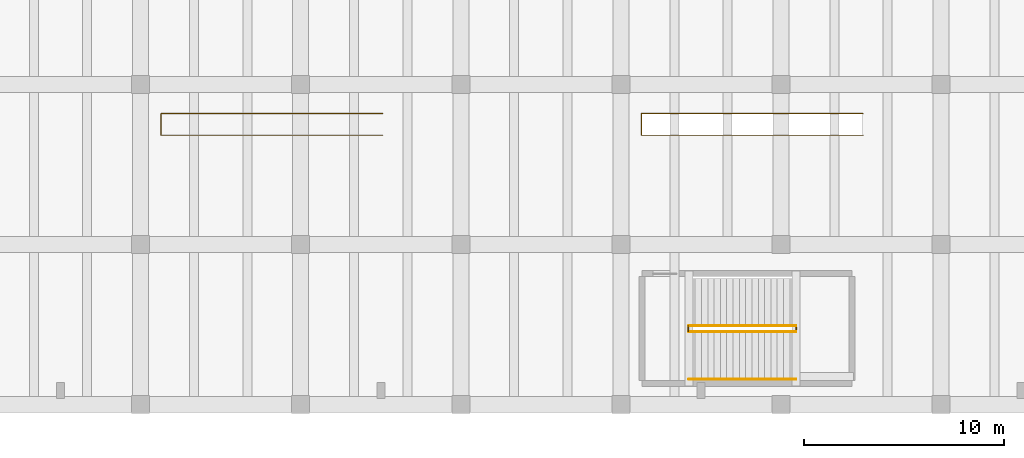
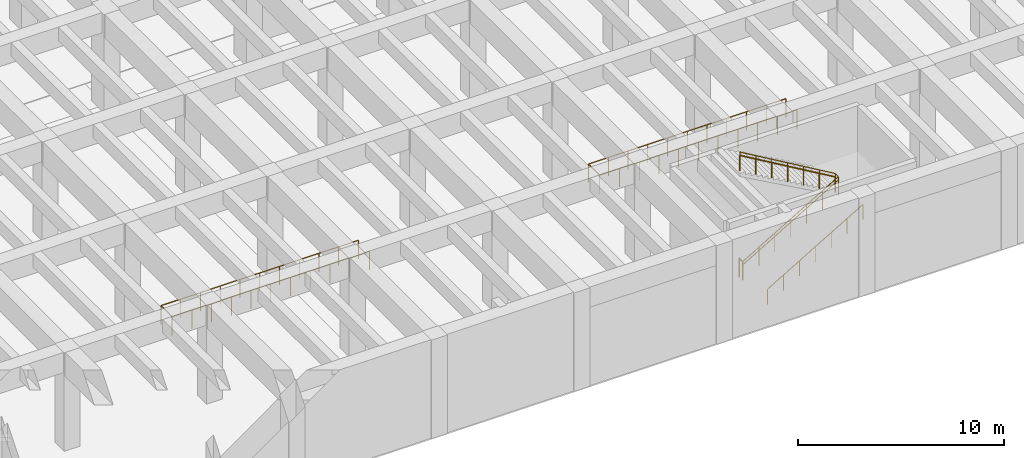
# One storey, part 18 of 24: 8 railings.
"""IFC4 building model written with IfcOpenShell, lengths in metres."""

import ifcopenshell
import ifcopenshell.guid

model = None  # the IFC model being written
_history = None  # IfcOwnerHistory: only IFC2X3 demands one
_inside = {}  # id of a spatial element -> (the spatial element, [elements in it])
_under = {}  # id of a project, library or spatial element -> (it, [spatial elements below it])
_declared = {}  # id of a project -> (the project, [libraries it declares])
_typed = {}  # id of a type object -> (the type object, [elements of that type])
_made_of = {}  # id of a material, layer set ... -> (it, [elements and type objects made of it])


def new_model(schema):
    """Start an empty IFC model of exactly this schema.

    Asked for "IFC4X3", IfcOpenShell would pick the latest addendum, in which some entities
    have other attributes; the version numbers below select the first issue.
    IFC2X3 requires an IfcOwnerHistory on every rooted entity: one is made here for all.
    """
    global model, _history
    if schema == "IFC4X3":
        model = ifcopenshell.file(schema_version=(4, 3, 0, 0))
    else:
        model = ifcopenshell.file(schema=schema)
    _inside.clear()
    _under.clear()
    _declared.clear()
    _typed.clear()
    _made_of.clear()
    _history = None
    if model.schema == "IFC2X3":
        org = make("IfcOrganization", Name="unknown")
        user = make(
            "IfcPersonAndOrganization",
            ThePerson=make("IfcPerson", FamilyName="unknown"),
            TheOrganization=org,
        )
        app = make(
            "IfcApplication",
            ApplicationDeveloper=org,
            Version="unknown",
            ApplicationFullName="unknown",
            ApplicationIdentifier="unknown",
        )
        _history = make(
            "IfcOwnerHistory",
            OwningUser=user,
            OwningApplication=app,
            ChangeAction="ADDED",
            CreationDate=0,
        )
    return model


def make(cls, **values):
    """One entity of the class cls with the attributes given. An attribute that is None is left unset."""
    return model.create_entity(
        cls, **{name: value for name, value in values.items() if value is not None}
    )


def rooted(cls, **values):
    """An entity with a GlobalId (a new one), such as an element, a storey or a relation."""
    return make(cls, GlobalId=ifcopenshell.guid.new(), OwnerHistory=_history, **values)


def si_unit(unit_type, name, prefix=None):
    """IfcSIUnit, for example si_unit("LENGTHUNIT", "METRE", prefix="MILLI")."""
    return make("IfcSIUnit", UnitType=unit_type, Prefix=prefix, Name=name)


def assignment(units):
    """IfcUnitAssignment: the units of a project."""
    return None if units is None else make("IfcUnitAssignment", Units=units)


def point(xyz):
    """IfcCartesianPoint."""
    return None if xyz is None else make("IfcCartesianPoint", Coordinates=xyz)


def direction(xyz):
    """IfcDirection."""
    return None if xyz is None else make("IfcDirection", DirectionRatios=xyz)


def frame(location, z_axis=None, x_axis=None):
    """IfcAxis2Placement3D, a coordinate frame: its origin and axes. An axis left out is left unset."""
    return make(
        "IfcAxis2Placement3D",
        Location=point(location),
        Axis=direction(z_axis),
        RefDirection=direction(x_axis),
    )


def frame_2d(location, x_axis=None):
    """IfcAxis2Placement2D, a coordinate frame in the plane: its origin and x axis."""
    return make(
        "IfcAxis2Placement2D", Location=point(location), RefDirection=direction(x_axis)
    )


def origin():
    """The frame at (0, 0, 0) with its axes left unset."""
    return frame((0.0, 0.0, 0.0))


def origin_2d():
    """The frame at (0, 0) in the plane with its x axis left unset."""
    return frame_2d((0.0, 0.0))


def place(relative_to, where):
    """IfcLocalPlacement: puts the frame where relative to a parent placement (None: the world)."""
    return make(
        "IfcLocalPlacement", PlacementRelTo=relative_to, RelativePlacement=where
    )


def context(
    kind, dimensions, precision=None, world=None, true_north=None, identifier=None
):
    """IfcGeometricRepresentationContext, for example the 3D "Model" context."""
    return make(
        "IfcGeometricRepresentationContext",
        ContextIdentifier=identifier,
        ContextType=kind,
        CoordinateSpaceDimension=dimensions,
        Precision=precision,
        WorldCoordinateSystem=world,
        TrueNorth=true_north,
    )


def subcontext(parent, identifier, kind, view, scale=None):
    """IfcGeometricRepresentationSubContext, for example "Body" below "Model"."""
    return make(
        "IfcGeometricRepresentationSubContext",
        ContextIdentifier=identifier,
        ContextType=kind,
        ParentContext=parent,
        TargetScale=scale,
        TargetView=view,
    )


def project(units=None, contexts=None):
    """IfcProject with its units and contexts."""
    return rooted(
        "IfcProject",
        Name="project",
        RepresentationContexts=contexts,
        UnitsInContext=assignment(units),
    )


def spatial(cls, under=None, at=None, **own):
    """A site, building, storey or space (cls), placed at a placement, below another one or the project."""
    s = rooted(cls, ObjectPlacement=at, **own)
    if under is not None:
        _under.setdefault(under.id(), (under, []))[1].append(s)
    return s


def profile(cls, at=None, kind="AREA", **sizes):
    """A parametric profile (cls). Its sizes go by their IFC names, for example OverallWidth=200.0."""
    return make(cls, ProfileType=kind, Position=at, **sizes)


def circle(**sizes):
    """IfcCircleProfileDef."""
    return profile("IfcCircleProfileDef", **sizes)


def extrude(swept, where, along, depth):
    """IfcExtrudedAreaSolid: the profile swept, set in the frame where, extruded along a direction by depth."""
    return make(
        "IfcExtrudedAreaSolid",
        SweptArea=swept,
        Position=where,
        ExtrudedDirection=direction(along),
        Depth=depth,
    )


def shape(context_of_items, identifier, shape_type, items):
    """IfcShapeRepresentation: the items that make up one representation, for example the "Body"."""
    return make(
        "IfcShapeRepresentation",
        ContextOfItems=context_of_items,
        RepresentationIdentifier=identifier,
        RepresentationType=shape_type,
        Items=items,
    )


def material(Name=None, Category=None):
    """IfcMaterial."""
    return make("IfcMaterial", Name=Name, Category=Category)


def made_of(thing, what):
    """Note that an element or type object is made of a material, layer set ...; save() writes the relation."""
    if what is not None:
        _made_of.setdefault(what.id(), (what, []))[1].append(thing)
    return thing


def type_object(cls, material=None, **own):
    """A type object (cls), such as IfcWallType, which elements share."""
    return made_of(rooted(cls, **own), material)


def element(
    cls,
    number,
    at=None,
    inside=None,
    cuts=None,
    type_object=None,
    material=None,
    context=None,
    identifier="Body",
    shape_type=None,
    held_by="IfcProductDefinitionShape",
    body=None,
    shapes=None,
    **own,
):
    """One element of the class cls, such as IfcWall. Its Tag is "e" and its number.

    at: its placement. inside: the storey or other place that contains it. cuts: it is an
    opening in that element (IfcRelVoidsElement). A single representation is given by context,
    identifier, shape_type and body (its items); several are given by shapes. held_by: the class
    of the entity that holds the representations. save() writes the other relations.
    """
    e = rooted(cls, Tag="e%d" % number, ObjectPlacement=at, **own)
    if body is not None:
        shapes = [shape(context, identifier, shape_type, body)]
    if shapes is not None:
        e.Representation = make(held_by, Representations=shapes)
    if inside is not None:
        _inside.setdefault(inside.id(), (inside, []))[1].append(e)
    if cuts is not None:
        rooted(
            "IfcRelVoidsElement", RelatingBuildingElement=cuts, RelatedOpeningElement=e
        )
    if type_object is not None:
        _typed.setdefault(type_object.id(), (type_object, []))[1].append(e)
    return made_of(e, material)


def aggregate(whole, parts):
    """IfcRelAggregates: a whole, such as a stair, and the parts it consists of."""
    return rooted("IfcRelAggregates", RelatingObject=whole, RelatedObjects=parts)


def save(model, path):
    """Write the relations noted so far, then the file.

    IfcRelAggregates (storeys below a building ...), IfcRelContainedInSpatialStructure (elements
    in a storey), IfcRelDefinesByType, IfcRelAssociatesMaterial and IfcRelDeclares: one each for
    every whole, place, type object, material and project.
    """
    for whole, parts in _under.values():
        aggregate(whole, parts)
    for where, things in _inside.values():
        rooted(
            "IfcRelContainedInSpatialStructure",
            RelatedElements=things,
            RelatingStructure=where,
        )
    for kind, things in _typed.values():
        rooted("IfcRelDefinesByType", RelatedObjects=things, RelatingType=kind)
    for what, things in _made_of.values():
        rooted("IfcRelAssociatesMaterial", RelatedObjects=things, RelatingMaterial=what)
    for by, libraries in _declared.values():
        rooted("IfcRelDeclares", RelatingContext=by, RelatedDefinitions=libraries)
    model.write(path)


model = new_model("IFC4")

# Units and contexts
model_context = context("Model", 3, precision=1e-05, world=origin(), true_north=direction((0.0, 1.0)))
body_context = subcontext(model_context, "Body", "Model", "MODEL_VIEW")
ifc_project = project(units=[si_unit("LENGTHUNIT", "METRE"), si_unit("AREAUNIT", "SQUARE_METRE"), si_unit("VOLUMEUNIT", "CUBIC_METRE"), si_unit("PLANEANGLEUNIT", "RADIAN"), si_unit("MASSUNIT", "GRAM", prefix="KILO")], contexts=[model_context])

# Site, building, storey
site_placement = place(None, origin())
site = spatial("IfcSite", under=ifc_project, at=site_placement, CompositionType="ELEMENT")
building_placement = place(site_placement, origin())
building = spatial("IfcBuilding", under=site, at=building_placement, Name="Varnela Railside Interchange", CompositionType="ELEMENT")
storey_placement = place(building_placement, frame((0.0, 0.0, -6.300048828125)))
storey = spatial("IfcBuildingStorey", under=building, at=storey_placement, Name="B1", CompositionType="ELEMENT", Elevation=-6.300048828125)

# Railings
ifc_material_1 = material(Name="Glass laminated double", Category="glass")
railing_type_1 = type_object("IfcRailingType", Name="Concourse Atrium Balustrade BL-01", PredefinedType="BALUSTRADE", material=ifc_material_1)
railing_1_placement = place(storey_placement, frame((88.10009765625, 19.4599609375, 0.0)))
element("IfcRailing", 1, at=railing_1_placement, inside=storey, type_object=railing_type_1, Name="Escalator Well Balustrade ES2 (RL-0123)", PredefinedType="BALUSTRADE", context=body_context, shape_type="SweptSolid", body=[
    extrude(circle(Radius=0.02392578125, at=origin_2d()), frame((0.0, 0.0, 1.09619140625), z_axis=(-1.0, 0.0, 0.0), x_axis=(0.0, -1.0, 0.0)), (0.0, 0.0, 1.0), 11.080078125),
    extrude(circle(Radius=0.02392578125, at=origin_2d()), frame((-11.080078125, 0.0, 1.09619140625), z_axis=(0.0, 1.0, 0.0), x_axis=(-1.0, 0.0, 0.0)), (0.0, 0.0, 1.0), 1.080078125),
    extrude(circle(Radius=0.02392578125, at=origin_2d()), frame((-11.080078125, 1.080078125, 1.09619140625), z_axis=(1.0, 0.0, 0.0), x_axis=(0.0, 1.0, 0.0)), (0.0, 0.0, 1.0), 11.080078125),
    extrude(circle(Radius=0.02099609375, at=origin_2d()), origin(), (0.0, 0.0, 1.0), 1.072021484375),
    extrude(circle(Radius=0.02099609375, at=origin_2d()), frame((-1.10791015625, 0.0, 0.0)), (0.0, 0.0, 1.0), 1.072021484375),
    extrude(circle(Radius=0.02099609375, at=origin_2d()), frame((-2.216064453125, 0.0, 0.0)), (0.0, 0.0, 1.0), 1.072021484375),
    extrude(circle(Radius=0.02099609375, at=origin_2d()), frame((-3.323974609375, 0.0, 0.0)), (0.0, 0.0, 1.0), 1.072021484375),
    extrude(circle(Radius=0.02099609375, at=origin_2d()), frame((-4.43212890625, 0.0, 0.0)), (0.0, 0.0, 1.0), 1.072021484375),
    extrude(circle(Radius=0.02099609375, at=origin_2d()), frame((-5.5400390625, 0.0, 0.0)), (0.0, 0.0, 1.0), 1.072021484375),
    extrude(circle(Radius=0.02099609375, at=origin_2d()), frame((-6.64794921875, 0.0, 0.0)), (0.0, 0.0, 1.0), 1.072021484375),
    extrude(circle(Radius=0.02099609375, at=origin_2d()), frame((-7.756103515625, 0.0, 0.0)), (0.0, 0.0, 1.0), 1.072021484375),
    extrude(circle(Radius=0.02099609375, at=origin_2d()), frame((-8.864013671875, 0.0, 0.0)), (0.0, 0.0, 1.0), 1.072021484375),
    extrude(circle(Radius=0.02099609375, at=origin_2d()), frame((-9.97216796875, 0.0, 0.0)), (0.0, 0.0, 1.0), 1.072021484375),
    extrude(circle(Radius=0.02099609375, at=origin_2d()), frame((-11.080078125, 0.0, 0.0)), (0.0, 0.0, 1.0), 1.072021484375),
    extrude(circle(Radius=0.02099609375, at=origin_2d()), frame((-11.080078125, 1.080078125, 0.0)), (0.0, 0.0, 1.0), 1.072021484375),
    extrude(circle(Radius=0.02099609375, at=origin_2d()), frame((-9.97216796875, 1.080078125, 0.0)), (0.0, 0.0, 1.0), 1.072021484375),
    extrude(circle(Radius=0.02099609375, at=origin_2d()), frame((-8.864013671875, 1.080078125, 0.0)), (0.0, 0.0, 1.0), 1.072021484375),
    extrude(circle(Radius=0.02099609375, at=origin_2d()), frame((-7.756103515625, 1.080078125, 0.0)), (0.0, 0.0, 1.0), 1.072021484375),
    extrude(circle(Radius=0.02099609375, at=origin_2d()), frame((-6.64794921875, 1.080078125, 0.0)), (0.0, 0.0, 1.0), 1.072021484375),
    extrude(circle(Radius=0.02099609375, at=origin_2d()), frame((-5.5400390625, 1.080078125, 0.0)), (0.0, 0.0, 1.0), 1.072021484375),
    extrude(circle(Radius=0.02099609375, at=origin_2d()), frame((-4.43212890625, 1.080078125, 0.0)), (0.0, 0.0, 1.0), 1.072021484375),
    extrude(circle(Radius=0.02099609375, at=origin_2d()), frame((-3.323974609375, 1.080078125, 0.0)), (0.0, 0.0, 1.0), 1.072021484375),
    extrude(circle(Radius=0.02099609375, at=origin_2d()), frame((-2.216064453125, 1.080078125, 0.0)), (0.0, 0.0, 1.0), 1.072021484375),
    extrude(circle(Radius=0.02099609375, at=origin_2d()), frame((-1.10791015625, 1.080078125, 0.0)), (0.0, 0.0, 1.0), 1.072021484375),
    extrude(circle(Radius=0.02099609375, at=origin_2d()), frame((0.0, 1.080078125, 0.0)), (0.0, 0.0, 1.0), 1.072021484375),
])
railing_2_placement = place(storey_placement, frame((112.10009765625, 19.4599609375, 0.0)))
element("IfcRailing", 2, at=railing_2_placement, inside=storey, type_object=railing_type_1, Name="Escalator Well Balustrade ES3 (RL-0124)", PredefinedType="BALUSTRADE", context=body_context, shape_type="SweptSolid", body=[
    extrude(circle(Radius=0.02392578125, at=origin_2d()), frame((0.0, 0.0, 1.09619140625), z_axis=(-1.0, 0.0, 0.0), x_axis=(0.0, -1.0, 0.0)), (0.0, 0.0, 1.0), 11.080078125),
    extrude(circle(Radius=0.02392578125, at=origin_2d()), frame((-11.080078125, 0.0, 1.09619140625), z_axis=(0.0, 1.0, 0.0), x_axis=(-1.0, 0.0, 0.0)), (0.0, 0.0, 1.0), 1.080078125),
    extrude(circle(Radius=0.02392578125, at=origin_2d()), frame((-11.080078125, 1.080078125, 1.09619140625), z_axis=(1.0, 0.0, 0.0), x_axis=(0.0, 1.0, 0.0)), (0.0, 0.0, 1.0), 11.080078125),
    extrude(circle(Radius=0.02099609375, at=origin_2d()), origin(), (0.0, 0.0, 1.0), 1.072021484375),
    extrude(circle(Radius=0.02099609375, at=origin_2d()), frame((-1.10791015625, 0.0, 0.0)), (0.0, 0.0, 1.0), 1.072021484375),
    extrude(circle(Radius=0.02099609375, at=origin_2d()), frame((-2.216064453125, 0.0, 0.0)), (0.0, 0.0, 1.0), 1.072021484375),
    extrude(circle(Radius=0.02099609375, at=origin_2d()), frame((-3.323974609375, 0.0, 0.0)), (0.0, 0.0, 1.0), 1.072021484375),
    extrude(circle(Radius=0.02099609375, at=origin_2d()), frame((-4.43212890625, 0.0, 0.0)), (0.0, 0.0, 1.0), 1.072021484375),
    extrude(circle(Radius=0.02099609375, at=origin_2d()), frame((-5.5400390625, 0.0, 0.0)), (0.0, 0.0, 1.0), 1.072021484375),
    extrude(circle(Radius=0.02099609375, at=origin_2d()), frame((-6.64794921875, 0.0, 0.0)), (0.0, 0.0, 1.0), 1.072021484375),
    extrude(circle(Radius=0.02099609375, at=origin_2d()), frame((-7.756103515625, 0.0, 0.0)), (0.0, 0.0, 1.0), 1.072021484375),
    extrude(circle(Radius=0.02099609375, at=origin_2d()), frame((-8.864013671875, 0.0, 0.0)), (0.0, 0.0, 1.0), 1.072021484375),
    extrude(circle(Radius=0.02099609375, at=origin_2d()), frame((-9.97216796875, 0.0, 0.0)), (0.0, 0.0, 1.0), 1.072021484375),
    extrude(circle(Radius=0.02099609375, at=origin_2d()), frame((-11.080078125, 0.0, 0.0)), (0.0, 0.0, 1.0), 1.072021484375),
    extrude(circle(Radius=0.02099609375, at=origin_2d()), frame((-11.080078125, 1.080078125, 0.0)), (0.0, 0.0, 1.0), 1.072021484375),
    extrude(circle(Radius=0.02099609375, at=origin_2d()), frame((-9.97216796875, 1.080078125, 0.0)), (0.0, 0.0, 1.0), 1.072021484375),
    extrude(circle(Radius=0.02099609375, at=origin_2d()), frame((-8.864013671875, 1.080078125, 0.0)), (0.0, 0.0, 1.0), 1.072021484375),
    extrude(circle(Radius=0.02099609375, at=origin_2d()), frame((-7.756103515625, 1.080078125, 0.0)), (0.0, 0.0, 1.0), 1.072021484375),
    extrude(circle(Radius=0.02099609375, at=origin_2d()), frame((-6.64794921875, 1.080078125, 0.0)), (0.0, 0.0, 1.0), 1.072021484375),
    extrude(circle(Radius=0.02099609375, at=origin_2d()), frame((-5.5400390625, 1.080078125, 0.0)), (0.0, 0.0, 1.0), 1.072021484375),
    extrude(circle(Radius=0.02099609375, at=origin_2d()), frame((-4.43212890625, 1.080078125, 0.0)), (0.0, 0.0, 1.0), 1.072021484375),
    extrude(circle(Radius=0.02099609375, at=origin_2d()), frame((-3.323974609375, 1.080078125, 0.0)), (0.0, 0.0, 1.0), 1.072021484375),
    extrude(circle(Radius=0.02099609375, at=origin_2d()), frame((-2.216064453125, 1.080078125, 0.0)), (0.0, 0.0, 1.0), 1.072021484375),
    extrude(circle(Radius=0.02099609375, at=origin_2d()), frame((-1.10791015625, 1.080078125, 0.0)), (0.0, 0.0, 1.0), 1.072021484375),
    extrude(circle(Radius=0.02099609375, at=origin_2d()), frame((0.0, 1.080078125, 0.0)), (0.0, 0.0, 1.0), 1.072021484375),
])
ifc_material_2 = material(Name="Steel AR 350 (350 MPa)", Category="steel")
railing_type_2 = type_object("IfcRailingType", Name="Stair & Ramp Pitch Handrail HR-01", PredefinedType="HANDRAIL", material=ifc_material_2)
railing_3_placement = place(storey_placement, frame((103.39990234375, 9.64990234375, 0.0)))
element("IfcRailing", 3, at=railing_3_placement, inside=storey, type_object=railing_type_2, Name="Stair Handrail ST-M4 Flight 1 (RL-0151)", PredefinedType="HANDRAIL", context=body_context, shape_type="SweptSolid", body=[
    extrude(circle(Radius=0.02392578125, at=origin_2d()), frame((0.0, 0.0, 0.89599609375), z_axis=(0.861923102912, 0.0, 0.507039016908), x_axis=(0.0, 1.0, 0.0)), (0.0, 0.0, 1.0), 6.212890625),
    extrude(circle(Radius=0.02099609375, at=origin_2d()), origin(), (0.0, 0.0, 1.0), 0.871826171875),
    extrude(circle(Radius=0.02099609375, at=origin_2d()), frame((0.892578125, 0.0, 0.52490234375)), (0.0, 0.0, 1.0), 0.871826171875),
    extrude(circle(Radius=0.02099609375, at=origin_2d()), frame((1.784912109375, 0.0, 1.050048828125)), (0.0, 0.0, 1.0), 0.871826171875),
    extrude(circle(Radius=0.02099609375, at=origin_2d()), frame((2.677490234375, 0.0, 1.5751953125)), (0.0, 0.0, 1.0), 0.871826171875),
    extrude(circle(Radius=0.02099609375, at=origin_2d()), frame((3.570068359375, 0.0, 2.10009765625)), (0.0, 0.0, 1.0), 0.871826171875),
    extrude(circle(Radius=0.02099609375, at=origin_2d()), frame((4.46240234375, 0.0, 2.625)), (0.0, 0.0, 1.0), 0.871826171875),
    extrude(circle(Radius=0.02099609375, at=origin_2d()), frame((5.35498046875, 0.0, 3.150146484375)), (0.0, 0.0, 1.0), 0.871826171875),
])
railing_4_placement = place(storey_placement, frame((108.7548828125, 9.949951171875, 3.150146484375)))
element("IfcRailing", 4, at=railing_4_placement, inside=storey, type_object=railing_type_2, Name="Stair Handrail ST-M4 Flight 2 (RL-0152)", PredefinedType="HANDRAIL", context=body_context, shape_type="SweptSolid", body=[
    extrude(circle(Radius=0.02392578125, at=origin_2d()), frame((0.0, 0.0, 0.89599609375), z_axis=(-0.861940276329, 0.0, 0.507009822431), x_axis=(0.0, -1.0, 0.0)), (0.0, 0.0, 1.0), 6.212646484375),
    extrude(circle(Radius=0.02099609375, at=origin_2d()), origin(), (0.0, 0.0, 1.0), 0.871826171875),
    extrude(circle(Radius=0.02099609375, at=origin_2d()), frame((-0.892578125, 0.0, 0.52490234375)), (0.0, 0.0, 1.0), 0.871826171875),
    extrude(circle(Radius=0.02099609375, at=origin_2d()), frame((-1.784912109375, 0.0, 1.050048828125)), (0.0, 0.0, 1.0), 0.871826171875),
    extrude(circle(Radius=0.02099609375, at=origin_2d()), frame((-2.677490234375, 0.0, 1.574951171875)), (0.0, 0.0, 1.0), 0.871826171875),
    extrude(circle(Radius=0.02099609375, at=origin_2d()), frame((-3.570068359375, 0.0, 2.099853515625)), (0.0, 0.0, 1.0), 0.871826171875),
    extrude(circle(Radius=0.02099609375, at=origin_2d()), frame((-4.46240234375, 0.0, 2.625)), (0.0, 0.0, 1.0), 0.871826171875),
    extrude(circle(Radius=0.02099609375, at=origin_2d()), frame((-5.35498046875, 0.0, 3.14990234375)), (0.0, 0.0, 1.0), 0.871826171875),
])
railing_type_3 = type_object("IfcRailingType", Name="Stair Well & Landing Guard GR-02", PredefinedType="GUARDRAIL", material=ifc_material_2)
railing_5_placement = place(storey_placement, frame((103.3701171875, 9.64990234375, 0.0)))
element("IfcRailing", 5, at=railing_5_placement, inside=storey, type_object=railing_type_3, Name="Stair Well Slot Guard ST-M4 on B1 (RL-0112)", PredefinedType="GUARDRAIL", context=body_context, shape_type="SweptSolid", body=[
    extrude(circle(Radius=0.02392578125, at=origin_2d()), frame((0.0, 0.0, 1.09619140625), z_axis=(0.0, 1.0, 0.0), x_axis=(-1.0, 0.0, 0.0)), (0.0, 0.0, 1.0), 0.300048828125),
    extrude(circle(Radius=0.02099609375, at=origin_2d()), origin(), (0.0, 0.0, 1.0), 1.072021484375),
    extrude(circle(Radius=0.02099609375, at=origin_2d()), frame((0.0, 0.300048828125, 0.0)), (0.0, 0.0, 1.0), 1.072021484375),
])
railing_6_placement = place(storey_placement, frame((103.39990234375, 9.64990234375, 0.0)))
element("IfcRailing", 6, at=railing_6_placement, inside=storey, type_object=railing_type_3, Name="Stair Guard ST-M4 Half-Landing (RL-0110)", PredefinedType="GUARDRAIL", context=body_context, shape_type="SweptSolid", body=[
    extrude(circle(Radius=0.02392578125, at=origin_2d()), frame((0.0, 0.0, 1.09619140625), z_axis=(0.861923102912, 0.0, 0.507039016908), x_axis=(0.0, 1.0, 0.0)), (0.0, 0.0, 1.0), 6.212890625),
    extrude(circle(Radius=0.02392578125, at=origin_2d()), frame((5.35498046875, 0.0, 4.24609375), z_axis=(0.0, 1.0, 0.0), x_axis=(-1.0, 0.0, 0.0)), (0.0, 0.0, 1.0), 0.300048828125),
    extrude(circle(Radius=0.02099609375, at=origin_2d()), origin(), (0.0, 0.0, 1.0), 1.072021484375),
    extrude(circle(Radius=0.02099609375, at=origin_2d()), frame((0.892578125, 0.0, 0.52490234375)), (0.0, 0.0, 1.0), 1.072021484375),
    extrude(circle(Radius=0.02099609375, at=origin_2d()), frame((1.784912109375, 0.0, 1.050048828125)), (0.0, 0.0, 1.0), 1.072021484375),
    extrude(circle(Radius=0.02099609375, at=origin_2d()), frame((2.677490234375, 0.0, 1.5751953125)), (0.0, 0.0, 1.0), 1.072021484375),
    extrude(circle(Radius=0.02099609375, at=origin_2d()), frame((3.570068359375, 0.0, 2.10009765625)), (0.0, 0.0, 1.0), 1.072021484375),
    extrude(circle(Radius=0.02099609375, at=origin_2d()), frame((4.46240234375, 0.0, 2.625)), (0.0, 0.0, 1.0), 1.072021484375),
    extrude(circle(Radius=0.02099609375, at=origin_2d()), frame((5.35498046875, 0.0, 3.150146484375)), (0.0, 0.0, 1.0), 1.072021484375),
    extrude(circle(Radius=0.02099609375, at=origin_2d()), frame((5.35498046875, 0.300048828125, 3.150146484375)), (0.0, 0.0, 1.0), 1.072021484375),
])
railing_7_placement = place(storey_placement, frame((108.7548828125, 9.949951171875, 3.150146484375)))
element("IfcRailing", 7, at=railing_7_placement, inside=storey, type_object=railing_type_3, Name="Stair Guard ST-M4 Upper Flight (RL-0111)", PredefinedType="GUARDRAIL", context=body_context, shape_type="SweptSolid", body=[
    extrude(circle(Radius=0.02392578125, at=origin_2d()), frame((0.0, 0.0, 1.09619140625), z_axis=(-0.861940276329, 0.0, 0.507009822431), x_axis=(0.0, -1.0, 0.0)), (0.0, 0.0, 1.0), 6.212646484375),
    extrude(circle(Radius=0.02099609375, at=origin_2d()), origin(), (0.0, 0.0, 1.0), 1.072021484375),
    extrude(circle(Radius=0.02099609375, at=origin_2d()), frame((-0.892578125, 0.0, 0.52490234375)), (0.0, 0.0, 1.0), 1.072021484375),
    extrude(circle(Radius=0.02099609375, at=origin_2d()), frame((-1.784912109375, 0.0, 1.050048828125)), (0.0, 0.0, 1.0), 1.072021484375),
    extrude(circle(Radius=0.02099609375, at=origin_2d()), frame((-2.677490234375, 0.0, 1.574951171875)), (0.0, 0.0, 1.0), 1.072021484375),
    extrude(circle(Radius=0.02099609375, at=origin_2d()), frame((-3.570068359375, 0.0, 2.099853515625)), (0.0, 0.0, 1.0), 1.072021484375),
    extrude(circle(Radius=0.02099609375, at=origin_2d()), frame((-4.46240234375, 0.0, 2.625)), (0.0, 0.0, 1.0), 1.072021484375),
    extrude(circle(Radius=0.02099609375, at=origin_2d()), frame((-5.35498046875, 0.0, 3.14990234375)), (0.0, 0.0, 1.0), 1.072021484375),
])
railing_type_4 = type_object("IfcRailingType", Name="Wall-Mounted Stair Handrail HR-02", PredefinedType="HANDRAIL", material=ifc_material_2)
railing_8_placement = place(storey_placement, frame((103.39990234375, 7.260009765625, 0.0)))
element("IfcRailing", 8, at=railing_8_placement, inside=storey, type_object=railing_type_4, Name="Wall Handrail ST-M4 Flight 1 (RL-0169)", PredefinedType="HANDRAIL", context=body_context, shape_type="SweptSolid", body=[
    extrude(circle(Radius=0.02392578125, at=origin_2d()), frame((0.0, 0.0, 0.89599609375), z_axis=(0.861923102912, 0.0, 0.507039016908), x_axis=(0.0, 1.0, 0.0)), (0.0, 0.0, 1.0), 6.212890625),
    extrude(circle(Radius=0.02099609375, at=origin_2d()), origin(), (0.0, 0.0, 1.0), 0.871826171875),
    extrude(circle(Radius=0.02099609375, at=origin_2d()), frame((0.892578125, 0.0, 0.52490234375)), (0.0, 0.0, 1.0), 0.871826171875),
    extrude(circle(Radius=0.02099609375, at=origin_2d()), frame((1.784912109375, 0.0, 1.050048828125)), (0.0, 0.0, 1.0), 0.871826171875),
    extrude(circle(Radius=0.02099609375, at=origin_2d()), frame((2.677490234375, 0.0, 1.5751953125)), (0.0, 0.0, 1.0), 0.871826171875),
    extrude(circle(Radius=0.02099609375, at=origin_2d()), frame((3.570068359375, 0.0, 2.10009765625)), (0.0, 0.0, 1.0), 0.871826171875),
    extrude(circle(Radius=0.02099609375, at=origin_2d()), frame((4.46240234375, 0.0, 2.625)), (0.0, 0.0, 1.0), 0.871826171875),
    extrude(circle(Radius=0.02099609375, at=origin_2d()), frame((5.35498046875, 0.0, 3.150146484375)), (0.0, 0.0, 1.0), 0.871826171875),
])

save(model, "model.ifc")
